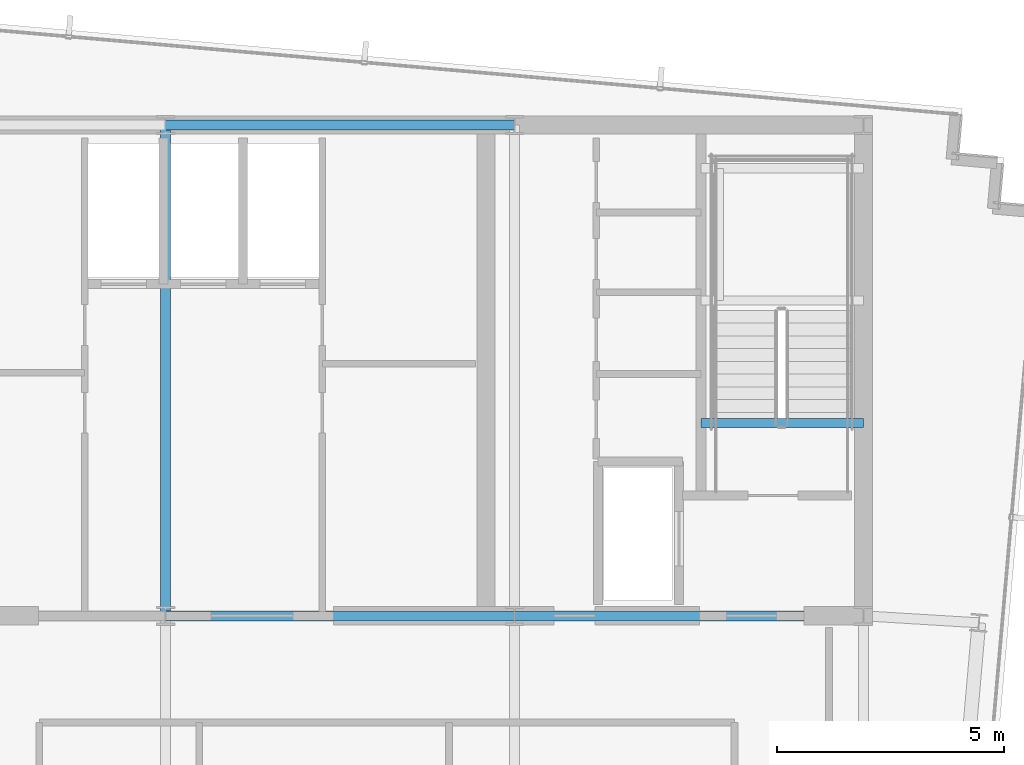
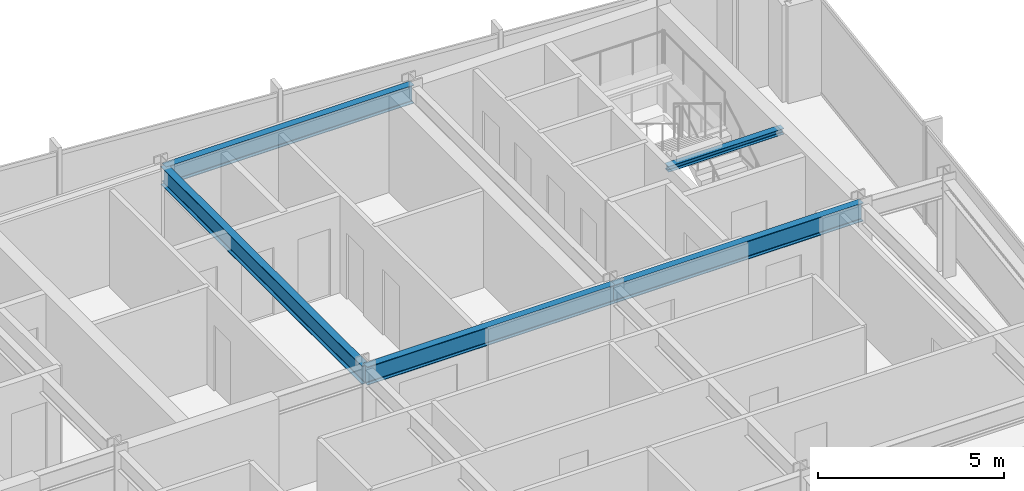
# One storey, part 18 of 32: 5 beams.
"""IFC4 building model written with IfcOpenShell, lengths in metres."""

from ifc_helpers import new_model, si_unit, direction, frame, origin, origin_2d, place, context, subcontext, project, spatial, i_section, extrude, material, material_profile, profile_set, type_object, element, save


model = new_model("IFC4")

# Units and contexts
model_context = context("Model", 3, precision=1e-05, world=origin(), true_north=direction((0.0, 1.0)))
body_context = subcontext(model_context, "Body", "Model", "MODEL_VIEW")
ifc_project = project(units=[si_unit("LENGTHUNIT", "METRE"), si_unit("AREAUNIT", "SQUARE_METRE"), si_unit("VOLUMEUNIT", "CUBIC_METRE"), si_unit("PLANEANGLEUNIT", "RADIAN"), si_unit("MASSUNIT", "GRAM", prefix="KILO")], contexts=[model_context])

# Site, building, storey
site_placement = place(None, origin())
site = spatial("IfcSite", under=ifc_project, at=site_placement, CompositionType="ELEMENT")
building_placement = place(site_placement, origin())
building = spatial("IfcBuilding", under=site, at=building_placement, Name="Yelkora Congress Tower", CompositionType="ELEMENT")
storey_placement = place(building_placement, frame((0.0, 0.0, 269.300048828125)))
storey = spatial("IfcBuildingStorey", under=building, at=storey_placement, Name="L75", CompositionType="ELEMENT", Elevation=269.300048828125)

# Beams
ifc_material = material(Name="Steel S355J2", Category="steel")
ifc_material_profile_1 = material_profile(ifc_material, i_section(OverallWidth=0.219970703125, OverallDepth=0.60009765625, WebThickness=0.011962890625, FlangeThickness=0.01904296875, FilletRadius=0.02392578125, at=origin_2d()), Name="IPE 600")
ifc_profile_set_1 = profile_set([ifc_material_profile_1], Name="Steel S355J2")
beam_type_1 = type_object("IfcBeamType", Name="BM-GIRD-IPE600", PredefinedType="BEAM", material=ifc_profile_set_1)
for number, where, z_axis, x_axis, name in (
    (1, (38.39990234375, 46.199951171875, 2.8798828125), (1.0, 0.0, 0.0), (0.0, 1.0, 0.0), "L75 Core North Girder 3"),
    (2, (38.39990234375, 35.39990234375, 2.8798828125), (1.0, 0.0, 0.0), (0.0, 1.0, 0.0), "L75 Core South Girder 3"),
):
    element("IfcBeam", number, at=place(storey_placement, frame(where, z_axis=z_axis, x_axis=x_axis)), inside=storey, type_object=beam_type_1, Name=name, PredefinedType="BEAM", context=body_context, shape_type="SweptSolid", body=[
        extrude(i_section(OverallWidth=0.219970703125, OverallDepth=0.60009765625, WebThickness=0.011962890625, FlangeThickness=0.01904296875, FilletRadius=0.02392578125, at=origin_2d()), origin(), (0.0, 0.0, 1.0), 7.68017578125),
    ])
beam_1_placement = place(storey_placement, frame((46.080078125, 35.39990234375, 2.8798828125), z_axis=(1.0, 0.0, 0.0), x_axis=(0.0, 1.0, 0.0)))
element("IfcBeam", 3, at=beam_1_placement, inside=storey, type_object=beam_type_1, Name="L75 Core South Girder 4", PredefinedType="BEAM", context=body_context, shape_type="SweptSolid", body=[
    extrude(i_section(OverallWidth=0.219970703125, OverallDepth=0.60009765625, WebThickness=0.011962890625, FlangeThickness=0.01904296875, FilletRadius=0.02392578125, at=origin_2d()), origin(), (0.0, 0.0, 1.0), 7.679931640625),
])
beam_2_placement = place(storey_placement, frame((38.39990234375, 35.39990234375, 2.8798828125), z_axis=(0.0, 1.0, 0.0), x_axis=(-1.0, 0.0, 0.0)))
element("IfcBeam", 4, at=beam_2_placement, inside=storey, type_object=beam_type_1, Name="L75 Core Tie Girder MC-S3", PredefinedType="BEAM", context=body_context, shape_type="SweptSolid", body=[
    extrude(i_section(OverallWidth=0.219970703125, OverallDepth=0.60009765625, WebThickness=0.011962890625, FlangeThickness=0.01904296875, FilletRadius=0.02392578125, at=origin_2d()), origin(), (0.0, 0.0, 1.0), 10.800048828125),
])
ifc_material_profile_2 = material_profile(ifc_material, i_section(OverallWidth=0.199951171875, OverallDepth=0.18994140625, WebThickness=0.006591796875, FlangeThickness=0.010009765625, FilletRadius=0.01806640625, at=origin_2d()), Name="HEA 200")
ifc_profile_set_2 = profile_set([ifc_material_profile_2], Name="Steel S355J2")
beam_type_2 = type_object("IfcBeamType", Name="BM-LAND-HEA200", PredefinedType="BEAM", material=ifc_profile_set_2)
beam_3_placement = place(storey_placement, frame((50.179931640625, 39.639892578125, 2.947265625), z_axis=(1.0, 0.0, 0.0), x_axis=(0.0, 1.0, 0.0)))
element("IfcBeam", 5, at=beam_3_placement, inside=storey, type_object=beam_type_2, Name="ST-02 L75 Floor Arrival Stringer Header Beam", PredefinedType="BEAM", context=body_context, shape_type="SweptSolid", body=[
    extrude(i_section(OverallWidth=0.199951171875, OverallDepth=0.18994140625, WebThickness=0.006591796875, FlangeThickness=0.010009765625, FilletRadius=0.01806640625, at=origin_2d()), origin(), (0.0, 0.0, 1.0), 3.580078125),
])

save(model, "model.ifc")
